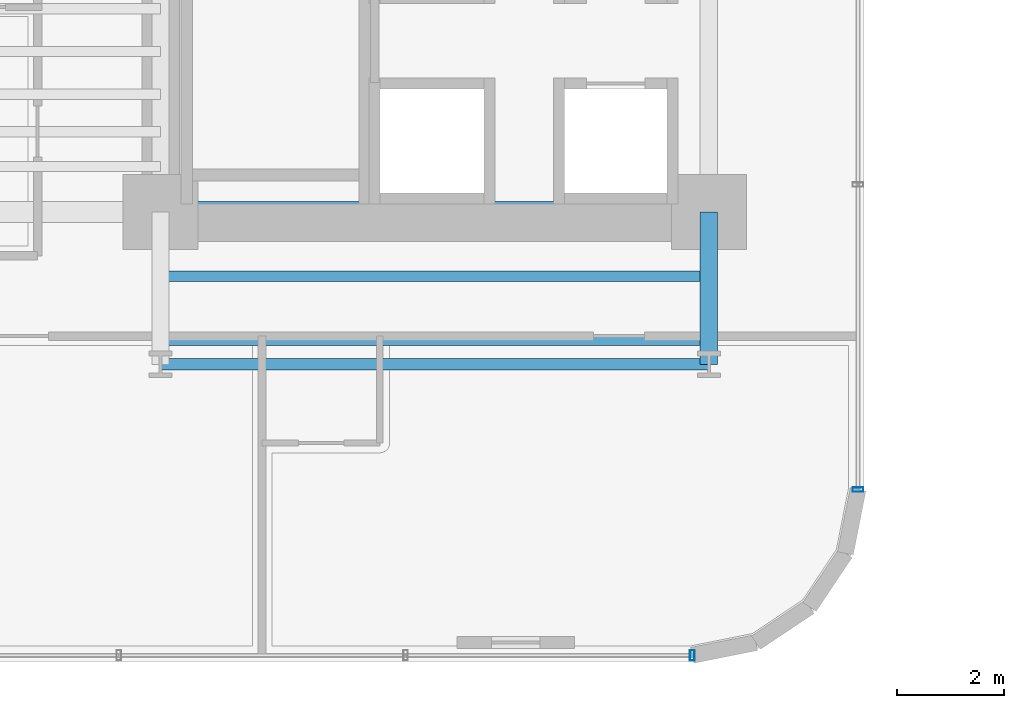
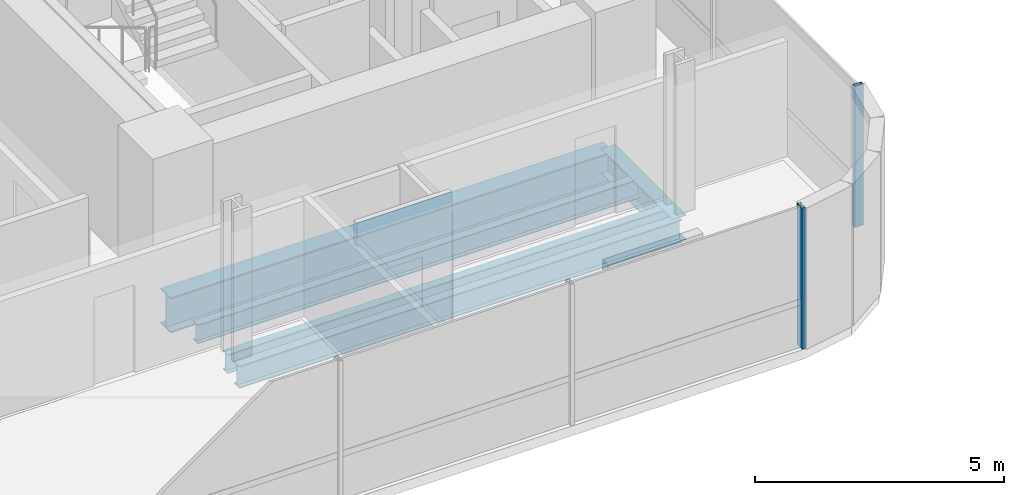
# One storey, part 5 of 40: 5 beams, 2 members, 2 elements without a shape of their own.
"""IFC4 building model written with IfcOpenShell, lengths in metres."""

from ifc_helpers import new_model, si_unit, direction, frame, origin, origin_2d, place, context, subcontext, project, spatial, hollow_rectangle, i_section, extrude, source, transform, mapped, material, material_profile, profile_set, type_object, element, aggregate, save


model = new_model("IFC4")

# Units and contexts
model_context = context("Model", 3, precision=1e-05, world=origin(), true_north=direction((0.0, 1.0)))
body_context = subcontext(model_context, "Body", "Model", "MODEL_VIEW")
ifc_project = project(units=[si_unit("LENGTHUNIT", "METRE"), si_unit("AREAUNIT", "SQUARE_METRE"), si_unit("VOLUMEUNIT", "CUBIC_METRE"), si_unit("PLANEANGLEUNIT", "RADIAN"), si_unit("MASSUNIT", "GRAM", prefix="KILO")], contexts=[model_context])

# Site, building, storey
site_placement = place(None, origin())
site = spatial("IfcSite", under=ifc_project, at=site_placement, CompositionType="ELEMENT")
building_placement = place(site_placement, origin())
building = spatial("IfcBuilding", under=site, at=building_placement, Name="Valdorenza Pilgrim Sanctuary Tower", CompositionType="ELEMENT")
storey_placement = place(building_placement, frame((0.0, 0.0, 40.800048828125)))
storey = spatial("IfcBuildingStorey", under=building, at=storey_placement, Name="L09", CompositionType="ELEMENT", Elevation=40.800048828125)

# Beams
ifc_material_1 = material(Name="Steel ASTM A992 Grade 50", Category="steel")
ifc_material_profile_1 = material_profile(ifc_material_1, i_section(OverallWidth=0.214111328125, OverallDepth=0.549072265625, WebThickness=0.0146484375, FlangeThickness=0.023681640625, at=origin_2d()), Name="W21X93")
ifc_profile_set_1 = profile_set([ifc_material_profile_1], Name="Steel ASTM A992 Grade 50")
beam_type_1 = type_object("IfcBeamType", Name="STR-BM-SPN-W21A", PredefinedType="SPANDREL", material=ifc_profile_set_1)
shared_shape_1 = source(origin(), body_context, "Body", "SweptSolid", [
    extrude(i_section(OverallWidth=0.214111328125, OverallDepth=0.549072265625, WebThickness=0.0146484375, FlangeThickness=0.023681640625, at=origin_2d()), origin(), (0.0, 0.0, 1.0), 10.25),
])
beam_1_placement = place(storey_placement, frame((-22.64990234375, -13.449951171875, -0.5146484375), z_axis=(1.0, 0.0, 0.0), x_axis=(0.0, 1.0, 0.0)))
element("IfcBeam", 1, at=beam_1_placement, inside=storey, type_object=beam_type_1, Name="L09 South Spandrel WA-S-TIE", PredefinedType="SPANDREL", context=body_context, shape_type="MappedRepresentation", body=[
    mapped(shared_shape_1, transform((0.0, 0.0, 0.0), x_axis=(1.0, 0.0, 0.0), y_axis=(0.0, 1.0, 0.0), z_axis=(0.0, 0.0, 1.0), scale=1.0)),
])
ifc_material_profile_2 = material_profile(ifc_material_1, i_section(OverallWidth=0.323974609375, OverallDepth=0.611083984375, WebThickness=0.0126953125, FlangeThickness=0.01904296875, at=origin_2d()), Name="W24X104")
ifc_profile_set_2 = profile_set([ifc_material_profile_2], Name="Steel ASTM A992 Grade 50")
beam_type_2 = type_object("IfcBeamType", Name="STR-BM-GRD-W24B", PredefinedType="BEAM", material=ifc_profile_set_2)
shared_shape_2 = source(origin(), body_context, "Body", "SweptSolid", [
    extrude(i_section(OverallWidth=0.323974609375, OverallDepth=0.611083984375, WebThickness=0.0126953125, FlangeThickness=0.01904296875, at=origin_2d()), origin(), (0.0, 0.0, 1.0), 2.849853515625),
])
beam_2_placement = place(storey_placement, frame((-12.39990234375, -13.449951171875, -0.545654296875), z_axis=(0.0, 1.0, 0.0), x_axis=(-1.0, 0.0, 0.0)))
element("IfcBeam", 2, at=beam_2_placement, inside=storey, type_object=beam_type_2, Name="L09 Floor Girder WA-S-LE", PredefinedType="BEAM", context=body_context, shape_type="MappedRepresentation", body=[
    mapped(shared_shape_2, transform((0.0, 0.0, 0.0), x_axis=(1.0, 0.0, 0.0), y_axis=(0.0, 1.0, 0.0), z_axis=(0.0, 0.0, 1.0), scale=1.0)),
])
ifc_material_profile_3 = material_profile(ifc_material_1, i_section(OverallWidth=0.193115234375, OverallDepth=0.466064453125, WebThickness=0.011474609375, FlangeThickness=0.01904296875, at=origin_2d()), Name="W18X65")
ifc_profile_set_3 = profile_set([ifc_material_profile_3], Name="Steel ASTM A992 Grade 50")
beam_type_3 = type_object("IfcBeamType", Name="STR-BM-JST-W18A", PredefinedType="JOIST", material=ifc_profile_set_3)
shared_shape_3 = source(origin(), body_context, "Body", "SweptSolid", [
    extrude(i_section(OverallWidth=0.193115234375, OverallDepth=0.466064453125, WebThickness=0.011474609375, FlangeThickness=0.01904296875, at=origin_2d()), origin(), (0.0, 0.0, 1.0), 10.25),
])
for number, where, z_axis, x_axis, name in (
    (3, (-22.64990234375, -13.0, -0.47314453125), (1.0, 0.0, 0.0), (0.0, 1.0, 0.0), "L09 Composite Floor Joist JST-WAS-1"),
    (4, (-22.64990234375, -11.800048828125, -0.47314453125), (1.0, 0.0, 0.0), (0.0, 1.0, 0.0), "L09 Composite Floor Joist JST-WAS-2"),
):
    element("IfcBeam", number, at=place(storey_placement, frame(where, z_axis=z_axis, x_axis=x_axis)), inside=storey, type_object=beam_type_3, Name=name, PredefinedType="JOIST", context=body_context, shape_type="MappedRepresentation", body=[
        mapped(shared_shape_3, transform((0.0, 0.0, 0.0), x_axis=(1.0, 0.0, 0.0), y_axis=(0.0, 1.0, 0.0), z_axis=(0.0, 0.0, 1.0), scale=1.0)),
    ])
ifc_material_profile_4 = material_profile(ifc_material_1, i_section(OverallWidth=0.39990234375, OverallDepth=0.862060546875, WebThickness=0.019775390625, FlangeThickness=0.032470703125, at=origin_2d()), Name="W33X221")
ifc_profile_set_4 = profile_set([ifc_material_profile_4], Name="Steel ASTM A992 Grade 50")
beam_type_4 = type_object("IfcBeamType", Name="STR-BM-GRD-W33", PredefinedType="BEAM", material=ifc_profile_set_4)
shared_shape_4 = source(origin(), body_context, "Body", "SweptSolid", [
    extrude(i_section(OverallWidth=0.39990234375, OverallDepth=0.862060546875, WebThickness=0.019775390625, FlangeThickness=0.032470703125, at=origin_2d()), origin(), (0.0, 0.0, 1.0), 10.25),
])
beam_3_placement = place(storey_placement, frame((-22.64990234375, -10.60009765625, -0.671142578125), z_axis=(1.0, 0.0, 0.0), x_axis=(0.0, 1.0, 0.0)))
element("IfcBeam", 5, at=beam_3_placement, inside=storey, type_object=beam_type_4, Name="L09 Floor Girder CA-XC-S1", PredefinedType="BEAM", context=body_context, shape_type="MappedRepresentation", body=[
    mapped(shared_shape_4, transform((0.0, 0.0, 0.0), x_axis=(1.0, 0.0, 0.0), y_axis=(0.0, 1.0, 0.0), z_axis=(0.0, 0.0, 1.0), scale=1.0)),
])

# Curtain wall, member
ifc_material_2 = material(Name="Curtain-wall IGU glazing", Category="glass")
curtain_wall_type = type_object("IfcCurtainWallType", Name="CW-SYS-02", PredefinedType="NOTDEFINED", material=ifc_material_2)
curtain_wall_1_placement = place(storey_placement, origin())
curtain_wall_1 = element("IfcCurtainWall", 6, at=curtain_wall_1_placement, inside=storey, type_object=curtain_wall_type, Name="L09 Curtain Wall CW-L09-1-41", PredefinedType="NOTDEFINED")
ifc_material_3 = material(Name="Anodised aluminium AW-6060", Category="aluminium")
ifc_material_profile_5 = material_profile(ifc_material_3, hollow_rectangle(XDim=0.0849609375, YDim=0.199951171875, WallThickness=0.0048828125, at=origin_2d()), Name="ALU-M 200x85x5")
ifc_profile_set_5 = profile_set([ifc_material_profile_5], Name="Anodised aluminium AW-6060")
member_type = type_object("IfcMemberType", Name="CW-MUL-02", PredefinedType="MULLION", material=ifc_profile_set_5)
shared_shape_5 = source(origin(), body_context, "Body", "SweptSolid", [
    extrude(hollow_rectangle(XDim=0.0849609375, YDim=0.199951171875, WallThickness=0.0048828125, at=origin_2d()), origin(), (0.0, 0.0, 1.0), 3.4599609375),
])
member_1_placement = place(storey_placement, frame((-9.610107421875, -15.789306640625, 0.0), z_axis=(0.0, 0.0, 1.0), x_axis=(0.0, -1.0, 0.0)))
member_1 = element("IfcMember", 7, at=member_1_placement, type_object=member_type, Name="CW-L09-1-41 Mullion 5", PredefinedType="MULLION", context=body_context, shape_type="MappedRepresentation", body=[
    mapped(shared_shape_5, transform((0.0, 0.0, 0.0), x_axis=(1.0, 0.0, 0.0), y_axis=(0.0, 1.0, 0.0), z_axis=(0.0, 0.0, 1.0), scale=1.0)),
])
aggregate(curtain_wall_1, [member_1])

curtain_wall_2_placement = place(storey_placement, origin())
curtain_wall_2 = element("IfcCurtainWall", 8, at=curtain_wall_2_placement, inside=storey, type_object=curtain_wall_type, Name="L09 Curtain Wall CW-L09-1-46", PredefinedType="NOTDEFINED")
member_2_placement = place(storey_placement, frame((-12.710693359375, -18.889892578125, 0.0), z_axis=(0.0, 0.0, 1.0), x_axis=(-1.0, 0.0, 0.0)))
member_2 = element("IfcMember", 9, at=member_2_placement, type_object=member_type, Name="CW-L09-1-46 Mullion 1", PredefinedType="MULLION", context=body_context, shape_type="MappedRepresentation", body=[
    mapped(shared_shape_5, transform((0.0, 0.0, 0.0), x_axis=(1.0, 0.0, 0.0), y_axis=(0.0, 1.0, 0.0), z_axis=(0.0, 0.0, 1.0), scale=1.0)),
])
aggregate(curtain_wall_2, [member_2])

save(model, "model.ifc")
